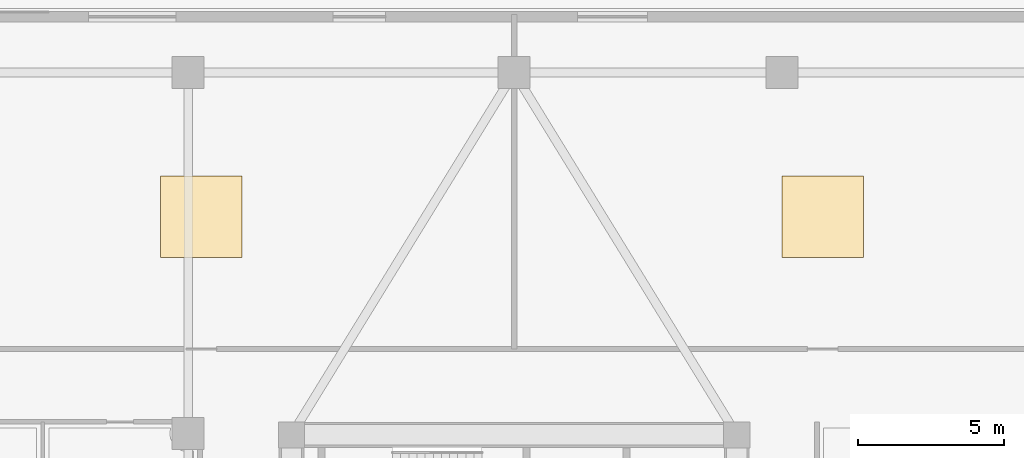
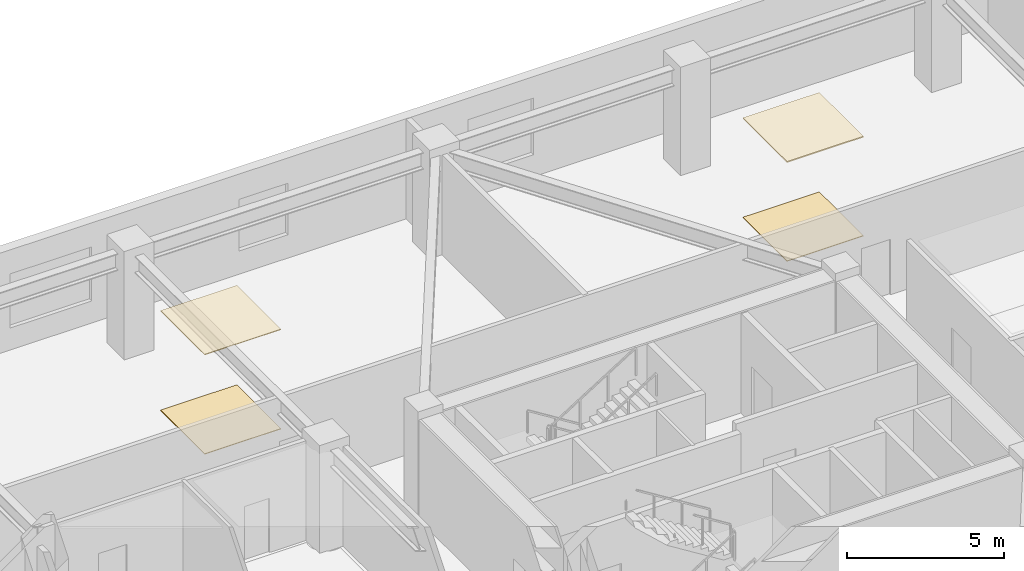
# One storey, part 20 of 22: 4 coverings.
"""IFC4 building model written with IfcOpenShell, lengths in metres."""

from ifc_helpers import new_model, si_unit, direction, frame, origin, place, context, subcontext, project, spatial, polyline, outline, extrude, material, layer, layer_set, type_object, element, save


model = new_model("IFC4")

# Units and contexts
model_context = context("Model", 3, precision=1e-05, world=origin(), true_north=direction((0.0, 1.0)))
body_context = subcontext(model_context, "Body", "Model", "MODEL_VIEW")
ifc_project = project(units=[si_unit("LENGTHUNIT", "METRE"), si_unit("AREAUNIT", "SQUARE_METRE"), si_unit("VOLUMEUNIT", "CUBIC_METRE"), si_unit("PLANEANGLEUNIT", "RADIAN"), si_unit("MASSUNIT", "GRAM", prefix="KILO")], contexts=[model_context])

# Site, building, storey
site_placement = place(None, origin())
site = spatial("IfcSite", under=ifc_project, at=site_placement, CompositionType="ELEMENT")
building_placement = place(site_placement, origin())
building = spatial("IfcBuilding", under=site, at=building_placement, Name="Norrkilde Senior Care Towers", CompositionType="ELEMENT")
storey_placement = place(building_placement, frame((0.0, 0.0, 12.60009765625)))
storey = spatial("IfcBuildingStorey", under=building, at=storey_placement, Name="L03", CompositionType="ELEMENT", Elevation=12.60009765625)

# Coverings
ifc_material_1 = material(Name="Nordic Ash Timber", Category="wood")
ifc_layer_1 = layer(ifc_material_1, 0.044921875)
ifc_layer_set_1 = layer_set([ifc_layer_1], Name="Nordic Ash Timber")
covering_type_1 = type_object("IfcCoveringType", Name="Acoustic Ash Timber Slatted Ceiling 45", PredefinedType="CEILING", material=ifc_layer_set_1)
covering_1_placement = place(storey_placement, frame((0.0, 0.0, 3.8349609375)))
element("IfcCovering", 1, at=covering_1_placement, inside=storey, type_object=covering_type_1, Name="L03 Suspended Ceiling 0090", PredefinedType="CEILING", context=body_context, shape_type="SweptSolid", body=[
    extrude(outline(polyline([(37.199951171875, 12.044921875), (37.199951171875, 14.844970703125), (40.0, 14.844970703125), (40.0, 12.044921875), (37.199951171875, 12.044921875)])), origin(), (0.0, 0.0, 1.0), 0.044921875),
])
ifc_material_2 = material(Name="Gypsum Acoustic Board")
ifc_layer_2 = layer(ifc_material_2, 0.030029296875)
ifc_layer_set_2 = layer_set([ifc_layer_2], Name="Gypsum Acoustic Board")
covering_type_2 = type_object("IfcCoveringType", Name="Medical Cleanable Gypsum Ceiling 30", PredefinedType="CEILING", material=ifc_layer_set_2)
covering_2_placement = place(storey_placement, frame((0.0, 0.0, 3.849853515625)))
element("IfcCovering", 2, at=covering_2_placement, inside=storey, type_object=covering_type_2, Name="L03 Suspended Ceiling 0089", PredefinedType="CEILING", context=body_context, shape_type="SweptSolid", body=[
    extrude(outline(polyline([(15.85009765625, 12.044921875), (15.85009765625, 14.844970703125), (18.64990234375, 14.844970703125), (18.64990234375, 12.044921875), (15.85009765625, 12.044921875)])), origin(), (0.0, 0.0, 1.0), 0.030029296875),
])
ifc_material_3 = material(Name="Slip-Resistant Porcelain Stone", Category="masonry")
ifc_layer_3 = layer(ifc_material_3, 0.02490234375)
ifc_layer_set_3 = layer_set([ifc_layer_3], Name="Slip-Resistant Porcelain Stone")
covering_type_3 = type_object("IfcCoveringType", Name="Slip-Resistant Porcelain Flooring 25", PredefinedType="FLOORING", material=ifc_layer_set_3)
covering_3_placement = place(storey_placement, origin())
element("IfcCovering", 3, at=covering_3_placement, inside=storey, type_object=covering_type_3, Name="L03 Floor Finish 0089", PredefinedType="FLOORING", context=body_context, shape_type="SweptSolid", body=[
    extrude(outline(polyline([(15.85009765625, 12.044921875), (15.85009765625, 14.844970703125), (18.64990234375, 14.844970703125), (18.64990234375, 12.044921875), (15.85009765625, 12.044921875)])), origin(), (0.0, 0.0, 1.0), 0.02490234375),
])
covering_4_placement = place(storey_placement, origin())
element("IfcCovering", 4, at=covering_4_placement, inside=storey, type_object=covering_type_3, Name="L03 Floor Finish 0090", PredefinedType="FLOORING", context=body_context, shape_type="SweptSolid", body=[
    extrude(outline(polyline([(37.199951171875, 12.044921875), (37.199951171875, 14.844970703125), (40.0, 14.844970703125), (40.0, 12.044921875), (37.199951171875, 12.044921875)])), origin(), (0.0, 0.0, 1.0), 0.02490234375),
])

save(model, "model.ifc")
